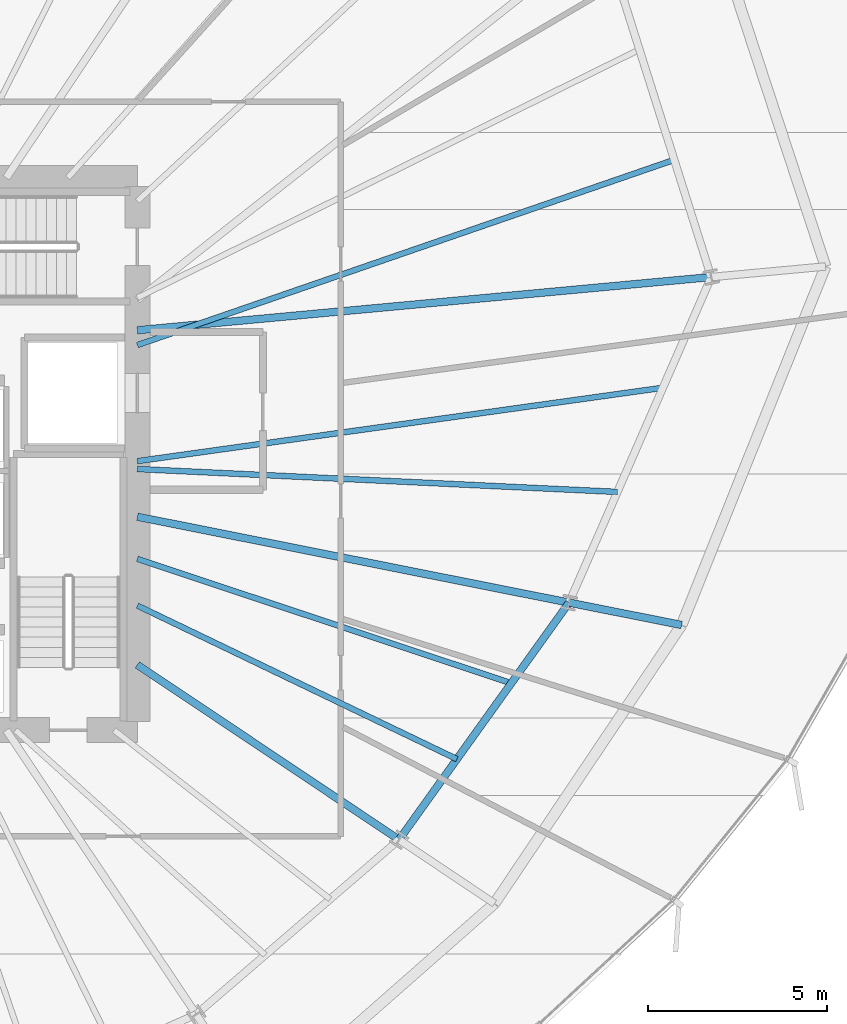
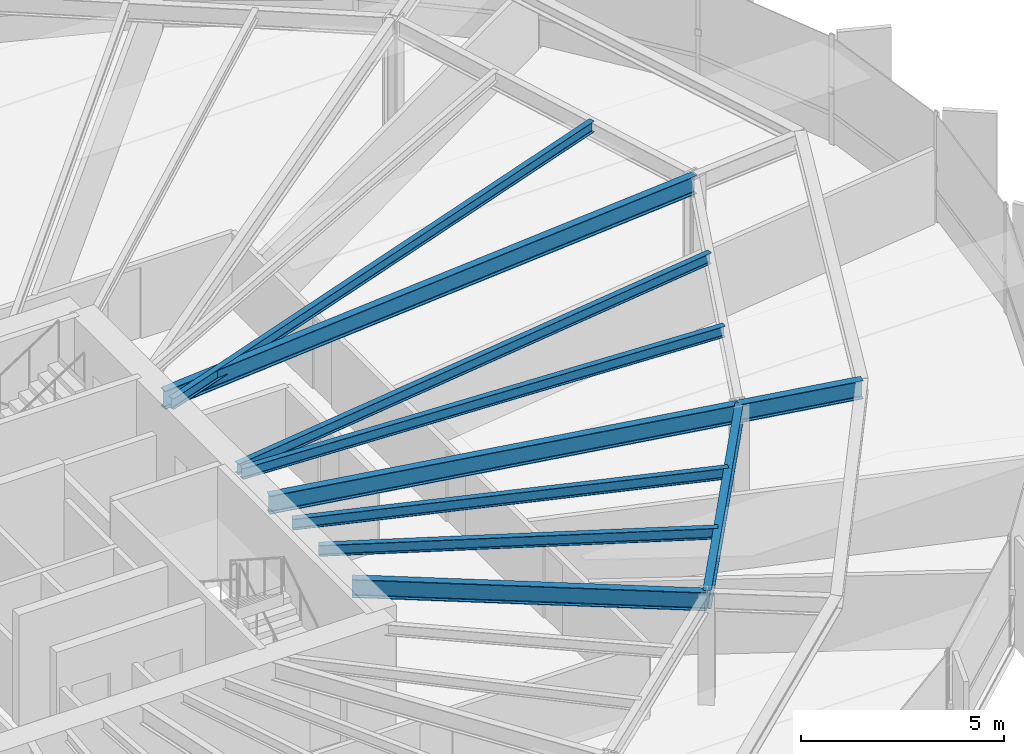
# One storey, part 14 of 35: 10 beams.
"""IFC4 building model written with IfcOpenShell, lengths in metres."""

from ifc_helpers import new_model, si_unit, direction, frame, origin, origin_2d, place, context, subcontext, project, spatial, i_section, extrude, source, transform, mapped, material, material_profile, profile_set, type_object, element, save


model = new_model("IFC4")

# Units and contexts
model_context = context("Model", 3, precision=1e-05, world=origin(), true_north=direction((0.0, 1.0)))
body_context = subcontext(model_context, "Body", "Model", "MODEL_VIEW")
ifc_project = project(units=[si_unit("LENGTHUNIT", "METRE"), si_unit("AREAUNIT", "SQUARE_METRE"), si_unit("VOLUMEUNIT", "CUBIC_METRE"), si_unit("PLANEANGLEUNIT", "RADIAN"), si_unit("MASSUNIT", "GRAM", prefix="KILO"), si_unit("THERMODYNAMICTEMPERATUREUNIT", "KELVIN")], contexts=[model_context])

# Site, building, storey
site_placement = place(None, origin())
site = spatial("IfcSite", under=ifc_project, at=site_placement, CompositionType="ELEMENT")
building_placement = place(site_placement, origin())
building = spatial("IfcBuilding", under=site, at=building_placement, Name="Kethvar Cultural Tower", CompositionType="ELEMENT")
storey_placement = place(building_placement, frame((0.0, 0.0, 96.39990234375)))
storey = spatial("IfcBuildingStorey", under=building, at=storey_placement, Name="L23", CompositionType="ELEMENT", Elevation=96.39990234375)

# Beams
ifc_material = material(Name="Steel S355J2", Category="steel")
ifc_material_profile_1 = material_profile(ifc_material, i_section(OverallWidth=0.2099609375, OverallDepth=0.550048828125, WebThickness=0.010986328125, FlangeThickness=0.01708984375, FilletRadius=0.02392578125, at=origin_2d()), Name="Steel S355J2 — IPE550")
ifc_profile_set_1 = profile_set([ifc_material_profile_1], Name="Steel S355J2 — IPE550")
beam_type_1 = type_object("IfcBeamType", Name="BM-IPE550", PredefinedType="BEAM", material=ifc_profile_set_1)
shared_shape_1 = source(origin(), body_context, "Body", "SweptSolid", [
    extrude(i_section(OverallWidth=0.2099609375, OverallDepth=0.550048828125, WebThickness=0.010986328125, FlangeThickness=0.01708984375, FilletRadius=0.02392578125, at=origin_2d()), origin(), (0.0, 0.0, 1.0), 16.071044921875),
])
beam_1_placement = place(storey_placement, frame((55.60009765625, 31.25, 3.072998046875), z_axis=(0.995731009363, 0.092302529718, 0.0), x_axis=(-0.092302529718, 0.995731009363, 0.0)))
element("IfcBeam", 1, at=beam_1_placement, inside=storey, type_object=beam_type_1, Name="L23 Primary Radial Beam RB-01", PredefinedType="BEAM", context=body_context, shape_type="MappedRepresentation", body=[
    mapped(shared_shape_1, transform((0.0, 0.0, 0.0), scale=1.0)),
])
shared_shape_2 = source(origin(), body_context, "Body", "SweptSolid", [
    extrude(i_section(OverallWidth=0.2099609375, OverallDepth=0.550048828125, WebThickness=0.010986328125, FlangeThickness=0.01708984375, FilletRadius=0.02392578125, at=origin_2d()), origin(), (0.0, 0.0, 1.0), 3.199951171875),
])
beam_2_placement = place(storey_placement, frame((67.638671875, 23.65478515625, 3.072998046875), z_axis=(0.980785550224, -0.195088965533, 0.0), x_axis=(0.195088965533, 0.980785550224, 0.0)))
element("IfcBeam", 2, at=beam_2_placement, inside=storey, type_object=beam_type_1, Name="L23 Perimeter Cantilever Beam RC-16", PredefinedType="BEAM", context=body_context, shape_type="MappedRepresentation", body=[
    mapped(shared_shape_2, transform((0.0, 0.0, 0.0), scale=1.0)),
])
shared_shape_3 = source(origin(), body_context, "Body", "SweptSolid", [
    extrude(i_section(OverallWidth=0.2099609375, OverallDepth=0.550048828125, WebThickness=0.010986328125, FlangeThickness=0.01708984375, FilletRadius=0.02392578125, at=origin_2d()), origin(), (0.0, 0.0, 1.0), 8.77783203125),
])
beam_3_placement = place(storey_placement, frame((55.60009765625, 21.919921875, 3.072998046875), z_axis=(0.831472186778, -0.555566380026, 0.0), x_axis=(0.555566380026, 0.831472186778, 0.0)))
element("IfcBeam", 3, at=beam_3_placement, inside=storey, type_object=beam_type_1, Name="L23 Primary Radial Beam RB-15", PredefinedType="BEAM", context=body_context, shape_type="MappedRepresentation", body=[
    mapped(shared_shape_3, transform((0.0, 0.0, 0.0), scale=1.0)),
])
shared_shape_4 = source(origin(), body_context, "Body", "SweptSolid", [
    extrude(i_section(OverallWidth=0.2099609375, OverallDepth=0.550048828125, WebThickness=0.010986328125, FlangeThickness=0.01708984375, FilletRadius=0.02392578125, at=origin_2d()), origin(), (0.0, 0.0, 1.0), 12.2744140625),
])
beam_4_placement = place(storey_placement, frame((55.60009765625, 26.049560546875, 3.072998046875), z_axis=(0.980782878234, -0.195102398146, 0.0), x_axis=(0.195102398146, 0.980782878234, 0.0)))
element("IfcBeam", 4, at=beam_4_placement, inside=storey, type_object=beam_type_1, Name="L23 Primary Radial Beam RB-16", PredefinedType="BEAM", context=body_context, shape_type="MappedRepresentation", body=[
    mapped(shared_shape_4, transform((0.0, 0.0, 0.0), scale=1.0)),
])
ifc_material_profile_2 = material_profile(ifc_material, i_section(OverallWidth=0.159912109375, OverallDepth=0.330078125, WebThickness=0.007568359375, FlangeThickness=0.011474609375, FilletRadius=0.01806640625, at=origin_2d()), Name="Steel S355J2 — IPE330")
ifc_profile_set_2 = profile_set([ifc_material_profile_2], Name="Steel S355J2 — IPE330")
beam_type_2 = type_object("IfcBeamType", Name="BM-J330", PredefinedType="JOIST", material=ifc_profile_set_2)
shared_shape_5 = source(origin(), body_context, "Body", "SweptSolid", [
    extrude(i_section(OverallWidth=0.159912109375, OverallDepth=0.330078125, WebThickness=0.007568359375, FlangeThickness=0.011474609375, FilletRadius=0.01806640625, at=origin_2d()), origin(), (0.0, 0.0, 1.0), 15.836669921875),
])
beam_5_placement = place(storey_placement, frame((55.60009765625, 30.836181640625, 3.18310546875), z_axis=(0.945315135904, 0.326158387644, 0.0), x_axis=(-0.326158387644, 0.945315135904, 0.0)))
element("IfcBeam", 5, at=beam_5_placement, inside=storey, type_object=beam_type_2, Name="L23 Composite Floor Joist J-01A", PredefinedType="JOIST", context=body_context, shape_type="MappedRepresentation", body=[
    mapped(shared_shape_5, transform((0.0, 0.0, 0.0), scale=1.0)),
])
shared_shape_6 = source(origin(), body_context, "Body", "SweptSolid", [
    extrude(i_section(OverallWidth=0.2099609375, OverallDepth=0.550048828125, WebThickness=0.010986328125, FlangeThickness=0.01708984375, FilletRadius=0.02392578125, at=origin_2d()), origin(), (0.0, 0.0, 1.0), 8.13525390625),
])
beam_6_placement = place(storey_placement, frame((62.898681640625, 17.043212890625, 3.072998046875), z_axis=(0.582656731995, 0.812718359988, 0.0), x_axis=(-0.812718359988, 0.582656731995, 0.0)))
element("IfcBeam", 6, at=beam_6_placement, inside=storey, type_object=beam_type_1, Name="L23 Column Ring Tie Beam CR-15", PredefinedType="BEAM", context=body_context, shape_type="MappedRepresentation", body=[
    mapped(shared_shape_6, transform((0.0, 0.0, 0.0), scale=1.0)),
])
shared_shape_7 = source(origin(), body_context, "Body", "SweptSolid", [
    extrude(i_section(OverallWidth=0.159912109375, OverallDepth=0.330078125, WebThickness=0.007568359375, FlangeThickness=0.011474609375, FilletRadius=0.01806640625, at=origin_2d()), origin(), (0.0, 0.0, 1.0), 9.885009765625),
])
beam_7_placement = place(storey_placement, frame((55.60009765625, 23.572021484375, 3.18310546875), z_axis=(0.901369611334, -0.43305060185, 0.0), x_axis=(0.43305060185, 0.901369611334, 0.0)))
element("IfcBeam", 7, at=beam_7_placement, inside=storey, type_object=beam_type_2, Name="L23 Composite Floor Joist J-15A", PredefinedType="JOIST", context=body_context, shape_type="MappedRepresentation", body=[
    mapped(shared_shape_7, transform((0.0, 0.0, 0.0), scale=1.0)),
])
shared_shape_8 = source(origin(), body_context, "Body", "SweptSolid", [
    extrude(i_section(OverallWidth=0.159912109375, OverallDepth=0.330078125, WebThickness=0.007568359375, FlangeThickness=0.011474609375, FilletRadius=0.01806640625, at=origin_2d()), origin(), (0.0, 0.0, 1.0), 10.98828125),
])
beam_8_placement = place(storey_placement, frame((55.60009765625, 24.8740234375, 3.18310546875), z_axis=(0.948918548228, -0.315521138481, 0.0), x_axis=(0.315521138481, 0.948918548228, 0.0)))
element("IfcBeam", 8, at=beam_8_placement, inside=storey, type_object=beam_type_2, Name="L23 Composite Floor Joist J-15B", PredefinedType="JOIST", context=body_context, shape_type="MappedRepresentation", body=[
    mapped(shared_shape_8, transform((0.0, 0.0, 0.0), scale=1.0)),
])
shared_shape_9 = source(origin(), body_context, "Body", "SweptSolid", [
    extrude(i_section(OverallWidth=0.159912109375, OverallDepth=0.330078125, WebThickness=0.007568359375, FlangeThickness=0.011474609375, FilletRadius=0.01806640625, at=origin_2d()), origin(), (0.0, 0.0, 1.0), 13.4013671875),
])
beam_9_placement = place(storey_placement, frame((55.60009765625, 27.380126953125, 3.18310546875), z_axis=(0.998864631653, -0.047638719894, 0.0), x_axis=(0.047638719894, 0.998864631653, 0.0)))
element("IfcBeam", 9, at=beam_9_placement, inside=storey, type_object=beam_type_2, Name="L23 Composite Floor Joist J-16A", PredefinedType="JOIST", context=body_context, shape_type="MappedRepresentation", body=[
    mapped(shared_shape_9, transform((0.0, 0.0, 0.0), scale=1.0)),
])
shared_shape_10 = source(origin(), body_context, "Body", "SweptSolid", [
    extrude(i_section(OverallWidth=0.159912109375, OverallDepth=0.330078125, WebThickness=0.007568359375, FlangeThickness=0.011474609375, FilletRadius=0.01806640625, at=origin_2d()), origin(), (0.0, 0.0, 1.0), 14.797119140625),
])
beam_10_placement = place(storey_placement, frame((55.60009765625, 27.60009765625, 3.18310546875), z_axis=(0.990388450305, 0.138313836986, 0.0), x_axis=(-0.138313836986, 0.990388450305, 0.0)))
element("IfcBeam", 10, at=beam_10_placement, inside=storey, type_object=beam_type_2, Name="L23 Composite Floor Joist J-16B", PredefinedType="JOIST", context=body_context, shape_type="MappedRepresentation", body=[
    mapped(shared_shape_10, transform((0.0, 0.0, 0.0), scale=1.0)),
])

save(model, "model.ifc")
